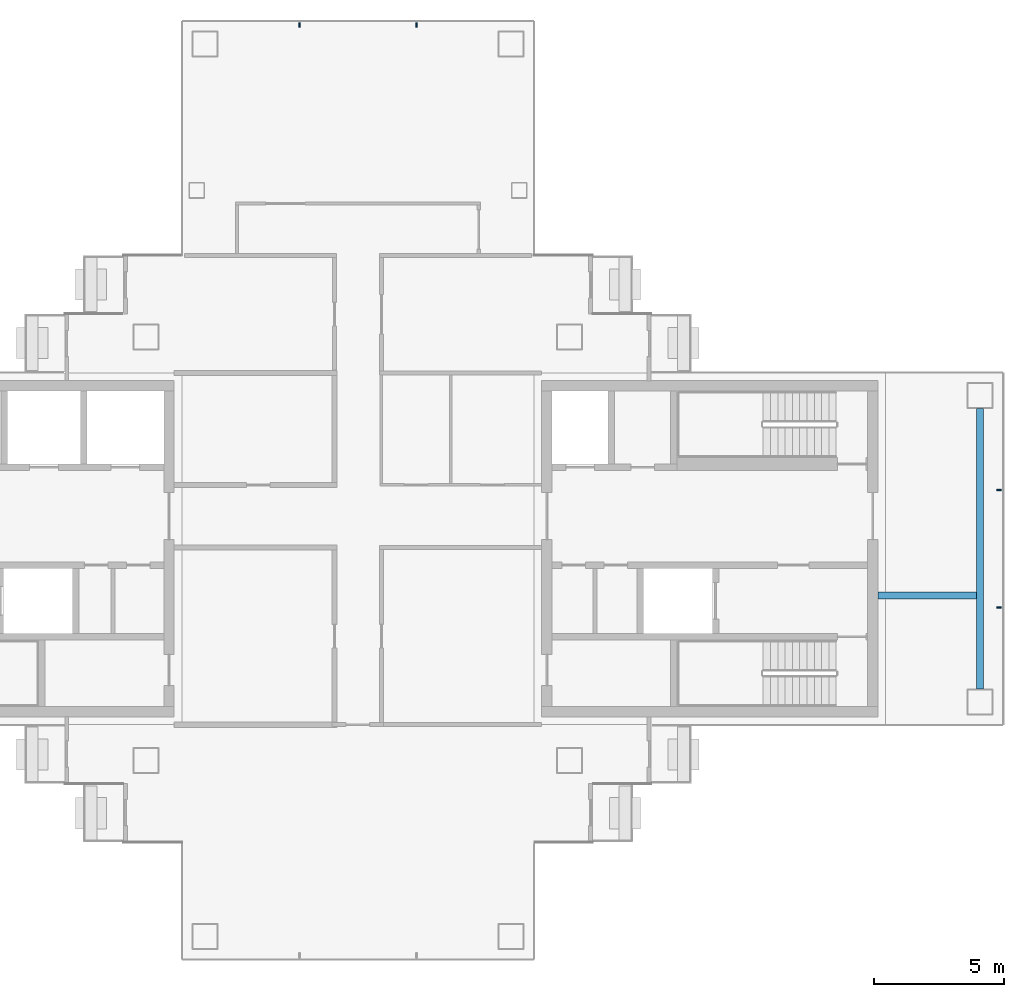
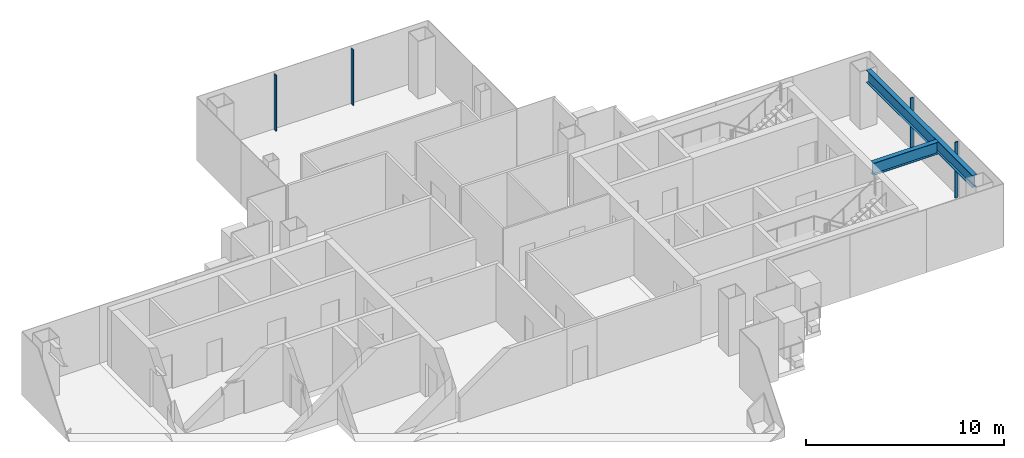
# One storey, part 6 of 17: 4 members, 2 beams, 2 elements without a shape of their own.
"""IFC4 building model written with IfcOpenShell, lengths in metres."""

from ifc_helpers import new_model, si_unit, direction, frame, origin, origin_2d, place, context, subcontext, project, spatial, rectangle, i_section, extrude, material, layer, layer_set, material_profile, profile_set, type_object, element, aggregate, save


model = new_model("IFC4")

# Units and contexts
model_context = context("Model", 3, precision=1e-05, world=origin(), true_north=direction((0.0, 1.0)))
body_context = subcontext(model_context, "Body", "Model", "MODEL_VIEW")
ifc_project = project(units=[si_unit("LENGTHUNIT", "METRE"), si_unit("AREAUNIT", "SQUARE_METRE"), si_unit("VOLUMEUNIT", "CUBIC_METRE"), si_unit("PLANEANGLEUNIT", "RADIAN"), si_unit("MASSUNIT", "GRAM", prefix="KILO")], contexts=[model_context])

# Site, building, storey
site_placement = place(None, origin())
site = spatial("IfcSite", under=ifc_project, at=site_placement, CompositionType="ELEMENT")
building_placement = place(site_placement, origin())
building = spatial("IfcBuilding", under=site, at=building_placement, Name="Shamsa Quay Exchange Towers", CompositionType="ELEMENT")
storey_placement = place(building_placement, frame((0.0, 0.0, 198.300048828125)))
storey = spatial("IfcBuildingStorey", under=building, at=storey_placement, Name="L47", CompositionType="ELEMENT", Elevation=198.300048828125)

# Curtain wall, members
ifc_material_1 = material(Name="Aluminium EN AW-6063 T6, black anodised", Category="aluminium")
ifc_layer = layer(ifc_material_1, 0.280029296875)
ifc_layer_set = layer_set([ifc_layer], Name="CW-1 UNITISED VISION GLASS")
curtain_wall_type = type_object("IfcCurtainWallType", Name="CW-1 UNITISED VISION GLASS", PredefinedType="NOTDEFINED", material=ifc_layer_set)
curtain_wall_1_placement = place(storey_placement, origin())
curtain_wall_1 = element("IfcCurtainWall", 1, at=curtain_wall_1_placement, inside=storey, type_object=curtain_wall_type, Name="CW1 T2-END-V- L47", PredefinedType="NOTDEFINED")
ifc_material_profile_1 = material_profile(ifc_material_1, rectangle(XDim=0.179931640625, YDim=0.06005859375, at=origin_2d()), Name="MU60x180")
ifc_profile_set_1 = profile_set([ifc_material_profile_1], Name="Aluminium EN AW-6063 T6, black anodised")
member_type = type_object("IfcMemberType", Name="CW1 MULLION 60x180", PredefinedType="MULLION", material=ifc_profile_set_1)
member_1_placement = place(storey_placement, frame((58.35009765625, -2.25, 0.0), z_axis=(0.0, 0.0, 1.0), x_axis=(-1.0, 0.0, 0.0)))
member_1 = element("IfcMember", 2, at=member_1_placement, type_object=member_type, Name="CW1 mullion", PredefinedType="MULLION", context=body_context, shape_type="SweptSolid", body=[
    extrude(rectangle(XDim=0.179931640625, YDim=0.06005859375, at=origin_2d()), origin(), (0.0, 0.0, 1.0), 3.449951171875),
])
member_2_placement = place(storey_placement, frame((58.35009765625, 2.25, 0.0), z_axis=(0.0, 0.0, 1.0), x_axis=(-1.0, 0.0, 0.0)))
member_2 = element("IfcMember", 3, at=member_2_placement, type_object=member_type, Name="CW1 mullion", PredefinedType="MULLION", context=body_context, shape_type="SweptSolid", body=[
    extrude(rectangle(XDim=0.179931640625, YDim=0.06005859375, at=origin_2d()), origin(), (0.0, 0.0, 1.0), 3.449951171875),
])
aggregate(curtain_wall_1, [member_1, member_2])

curtain_wall_2_placement = place(storey_placement, origin())
curtain_wall_2 = element("IfcCurtainWall", 4, at=curtain_wall_2_placement, inside=storey, type_object=curtain_wall_type, Name="CW1 T2-END-U+ L47", PredefinedType="NOTDEFINED")
member_3_placement = place(storey_placement, frame((36.0, 20.10009765625, 0.0), z_axis=(0.0, 0.0, 1.0), x_axis=(0.0, -1.0, 0.0)))
member_3 = element("IfcMember", 5, at=member_3_placement, type_object=member_type, Name="CW1 mullion", PredefinedType="MULLION", context=body_context, shape_type="SweptSolid", body=[
    extrude(rectangle(XDim=0.179931640625, YDim=0.06005859375, at=origin_2d()), origin(), (0.0, 0.0, 1.0), 3.449951171875),
])
member_4_placement = place(storey_placement, frame((31.5, 20.10009765625, 0.0), z_axis=(0.0, 0.0, 1.0), x_axis=(0.0, -1.0, 0.0)))
member_4 = element("IfcMember", 6, at=member_4_placement, type_object=member_type, Name="CW1 mullion", PredefinedType="MULLION", context=body_context, shape_type="SweptSolid", body=[
    extrude(rectangle(XDim=0.179931640625, YDim=0.06005859375, at=origin_2d()), origin(), (0.0, 0.0, 1.0), 3.449951171875),
])
aggregate(curtain_wall_2, [member_3, member_4])

# Beams
ifc_material_2 = material(Name="Steel S355", Category="steel")
ifc_material_profile_2 = material_profile(ifc_material_2, i_section(OverallWidth=0.26611328125, OverallDepth=0.7578125, WebThickness=0.013916015625, FlangeThickness=0.019287109375, at=origin_2d()), Name="W30x108")
ifc_profile_set_2 = profile_set([ifc_material_profile_2], Name="Steel S355")
beam_type = type_object("IfcBeamType", Name="End-zone beam W30x108", PredefinedType="BEAM", material=ifc_profile_set_2)
beam_1_placement = place(storey_placement, frame((57.625, -5.375, 3.171142578125), z_axis=(0.0, 1.0, 0.0), x_axis=(-1.0, 0.0, 0.0)))
element("IfcBeam", 7, at=beam_1_placement, inside=storey, type_object=beam_type, Name="End beam T2 V- end zone L47", PredefinedType="BEAM", context=body_context, shape_type="SweptSolid", body=[
    extrude(i_section(OverallWidth=0.26611328125, OverallDepth=0.7578125, WebThickness=0.013916015625, FlangeThickness=0.019287109375, at=origin_2d()), origin(), (0.0, 0.0, 1.0), 10.75),
])
beam_2_placement = place(storey_placement, frame((53.699951171875, -1.800048828125, 3.171142578125), z_axis=(1.0, 0.0, 0.0), x_axis=(0.0, 1.0, 0.0)))
element("IfcBeam", 8, at=beam_2_placement, inside=storey, type_object=beam_type, Name="Spine beam T2 V- end zone L47", PredefinedType="BEAM", context=body_context, shape_type="SweptSolid", body=[
    extrude(i_section(OverallWidth=0.26611328125, OverallDepth=0.7578125, WebThickness=0.013916015625, FlangeThickness=0.019287109375, at=origin_2d()), origin(), (0.0, 0.0, 1.0), 3.7919921875),
])

save(model, "model.ifc")
